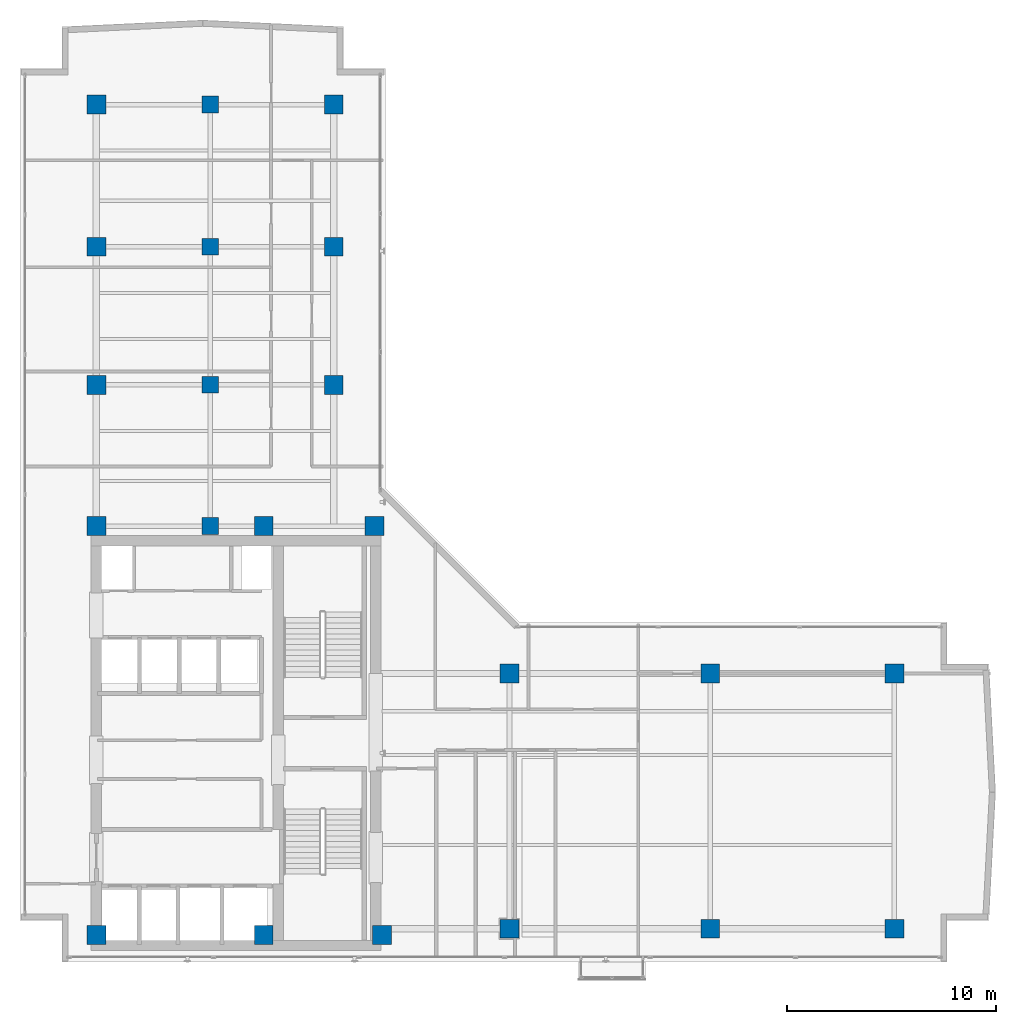
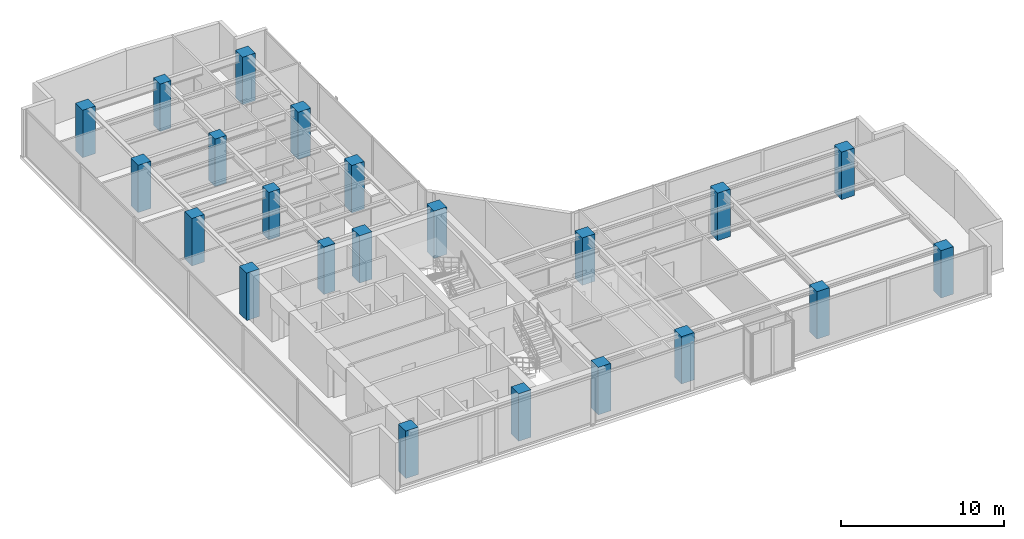
# One storey, part 1 of 22: 22 columns.
"""IFC4 building model written with IfcOpenShell, lengths in metres."""

from ifc_helpers import new_model, si_unit, direction, frame, origin, origin_2d, place, context, subcontext, project, spatial, rectangle, extrude, material, material_profile, profile_set, type_object, element, save


model = new_model("IFC4")

# Units and contexts
model_context = context("Model", 3, precision=1e-05, world=origin(), true_north=direction((0.0, 1.0)))
body_context = subcontext(model_context, "Body", "Model", "MODEL_VIEW")
ifc_project = project(units=[si_unit("LENGTHUNIT", "METRE"), si_unit("AREAUNIT", "SQUARE_METRE"), si_unit("VOLUMEUNIT", "CUBIC_METRE"), si_unit("PLANEANGLEUNIT", "RADIAN"), si_unit("MASSUNIT", "GRAM", prefix="KILO")], contexts=[model_context])

# Site, building, storey
site_placement = place(None, origin())
site = spatial("IfcSite", under=ifc_project, at=site_placement, CompositionType="ELEMENT")
building_placement = place(site_placement, origin())
building = spatial("IfcBuilding", under=site, at=building_placement, Name="Kolvaren Waterfront Exchange", CompositionType="ELEMENT")
storey_placement = place(building_placement, frame((0.0, 0.0, 312.199951171875)))
storey = spatial("IfcBuildingStorey", under=building, at=storey_placement, Name="L80", CompositionType="ELEMENT", Elevation=312.199951171875)

# Columns
ifc_material = material(Name="Concrete C50/60", Category="concrete")
ifc_material_profile_1 = material_profile(ifc_material, rectangle(XDim=0.800048828125, YDim=0.800048828125, at=origin_2d()), Name="RC-COL-800x800")
ifc_profile_set_1 = profile_set([ifc_material_profile_1], Name="Concrete C50/60")
column_type_1 = type_object("IfcColumnType", Name="STR-COL-800-C50", PredefinedType="COLUMN", material=ifc_profile_set_1)
for number, where, z_axis, x_axis, name in (
    (1, (12.89990234375, 24.449951171875, 0.0), (0.0, 0.0, 1.0), (1.0, 0.0, 0.0), "L80 column TC01"),
    (2, (12.89990234375, 31.199951171875, 0.0), (0.0, 0.0, 1.0), (1.0, 0.0, 0.0), "L80 column TC02"),
    (3, (12.89990234375, 37.800048828125, 0.0), (0.0, 0.0, 1.0), (1.0, 0.0, 0.0), "L80 column TC03"),
    (4, (12.89990234375, 44.60009765625, 0.0), (0.0, 0.0, 1.0), (1.0, 0.0, 0.0), "L80 column TC04"),
):
    element("IfcColumn", number, at=place(storey_placement, frame(where, z_axis=z_axis, x_axis=x_axis)), inside=storey, type_object=column_type_1, Name=name, PredefinedType="COLUMN", context=body_context, shape_type="SweptSolid", body=[
        extrude(rectangle(XDim=0.800048828125, YDim=0.800048828125, at=origin_2d()), origin(), (0.0, 0.0, 1.0), 3.56005859375),
    ])
ifc_material_profile_2 = material_profile(ifc_material, rectangle(XDim=0.89990234375, YDim=0.89990234375, at=origin_2d()), Name="RC-COL-900x900")
ifc_profile_set_2 = profile_set([ifc_material_profile_2], Name="Concrete C50/60")
column_type_2 = type_object("IfcColumnType", Name="STR-COL-900-C50", PredefinedType="COLUMN", material=ifc_profile_set_2)
for number, where, z_axis, x_axis, name in (
    (5, (7.449951171875, 4.89990234375, 0.0), (0.0, 0.0, 1.0), (1.0, 0.0, 0.0), "L80 column MC01"),
    (6, (15.449951171875, 4.89990234375, 0.0), (0.0, 0.0, 1.0), (1.0, 0.0, 0.0), "L80 column MC02"),
    (7, (21.10009765625, 4.89990234375, 0.0), (0.0, 0.0, 1.0), (1.0, 0.0, 0.0), "L80 column MC03"),
    (8, (7.449951171875, 24.449951171875, 0.0), (0.0, 0.0, 1.0), (1.0, 0.0, 0.0), "L80 column MC04"),
    (9, (15.449951171875, 24.449951171875, 0.0), (0.0, 0.0, 1.0), (1.0, 0.0, 0.0), "L80 column MC05"),
    (10, (20.75, 24.449951171875, 0.0), (0.0, 0.0, 1.0), (1.0, 0.0, 0.0), "L80 column MC06"),
    (11, (7.449951171875, 31.199951171875, 0.0), (0.0, 0.0, 1.0), (1.0, 0.0, 0.0), "L80 column NC01"),
    (12, (7.449951171875, 37.800048828125, 0.0), (0.0, 0.0, 1.0), (1.0, 0.0, 0.0), "L80 column NC02"),
    (13, (7.449951171875, 44.60009765625, 0.0), (0.0, 0.0, 1.0), (1.0, 0.0, 0.0), "L80 column NC03"),
    (14, (18.800048828125, 31.199951171875, 0.0), (0.0, 0.0, 1.0), (1.0, 0.0, 0.0), "L80 column NC04"),
    (15, (18.800048828125, 37.800048828125, 0.0), (0.0, 0.0, 1.0), (1.0, 0.0, 0.0), "L80 column NC05"),
    (16, (18.800048828125, 44.60009765625, 0.0), (0.0, 0.0, 1.0), (1.0, 0.0, 0.0), "L80 column NC06"),
    (17, (27.199951171875, 5.199951171875, 0.0), (0.0, 0.0, 1.0), (1.0, 0.0, 0.0), "L80 column EC01"),
    (18, (36.800048828125, 5.199951171875, 0.0), (0.0, 0.0, 1.0), (1.0, 0.0, 0.0), "L80 column EC02"),
    (19, (45.60009765625, 5.199951171875, 0.0), (0.0, 0.0, 1.0), (1.0, 0.0, 0.0), "L80 column EC03"),
    (20, (27.199951171875, 17.39990234375, 0.0), (0.0, 0.0, 1.0), (1.0, 0.0, 0.0), "L80 column EC04"),
    (21, (36.800048828125, 17.39990234375, 0.0), (0.0, 0.0, 1.0), (1.0, 0.0, 0.0), "L80 column EC05"),
    (22, (45.60009765625, 17.39990234375, 0.0), (0.0, 0.0, 1.0), (1.0, 0.0, 0.0), "L80 column EC06"),
):
    element("IfcColumn", number, at=place(storey_placement, frame(where, z_axis=z_axis, x_axis=x_axis)), inside=storey, type_object=column_type_2, Name=name, PredefinedType="COLUMN", context=body_context, shape_type="SweptSolid", body=[
        extrude(rectangle(XDim=0.89990234375, YDim=0.89990234375, at=origin_2d()), origin(), (0.0, 0.0, 1.0), 3.56005859375),
    ])

save(model, "model.ifc")
